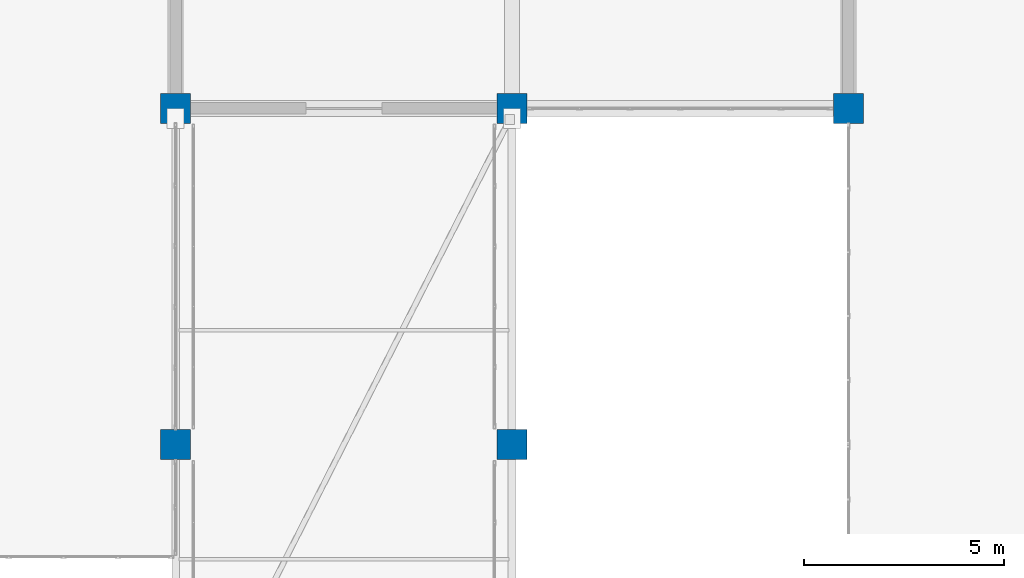
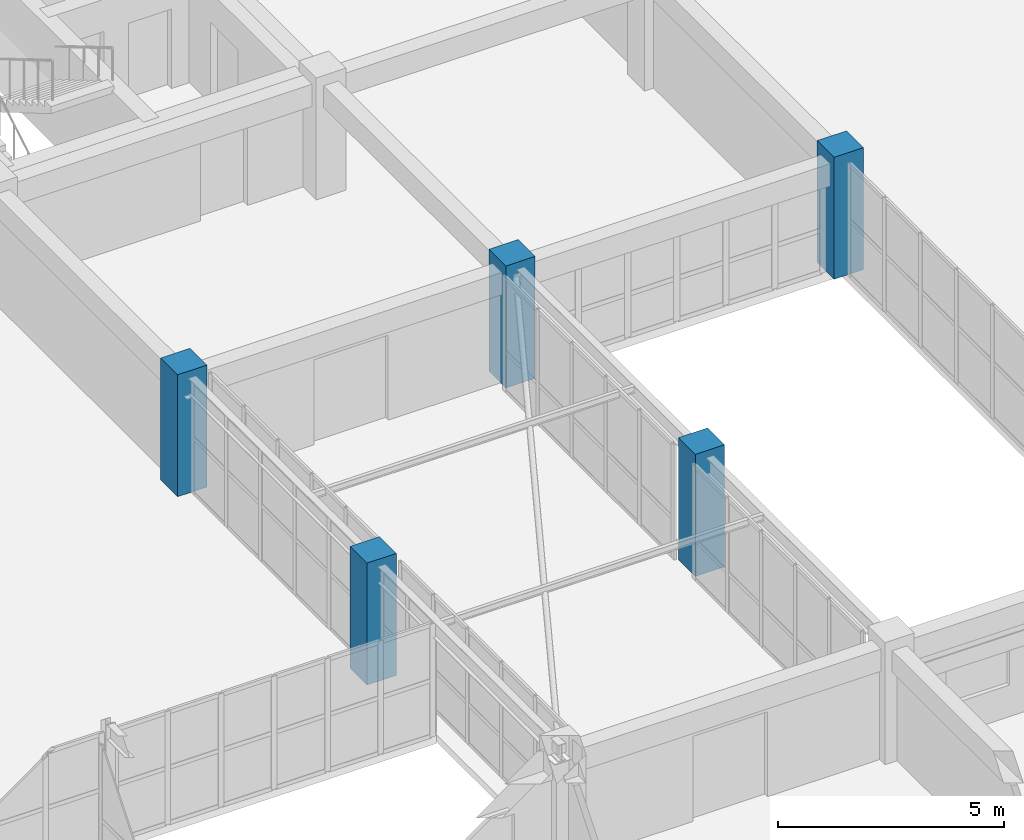
# One storey, part 10 of 200: 5 columns.
"""IFC4 building model written with IfcOpenShell, lengths in metres."""

from ifc_helpers import new_model, si_unit, direction, frame, origin, origin_2d, place, context, subcontext, project, spatial, rectangle, extrude, material, material_profile, profile_set, type_object, element, save


model = new_model("IFC4")

# Units and contexts
model_context = context("Model", 3, precision=1e-05, world=origin(), true_north=direction((0.0, 1.0)))
body_context = subcontext(model_context, "Body", "Model", "MODEL_VIEW")
ifc_project = project(units=[si_unit("LENGTHUNIT", "METRE"), si_unit("AREAUNIT", "SQUARE_METRE"), si_unit("VOLUMEUNIT", "CUBIC_METRE"), si_unit("PLANEANGLEUNIT", "RADIAN"), si_unit("MASSUNIT", "GRAM", prefix="KILO")], contexts=[model_context])

# Site, building, storey
site_placement = place(None, origin())
site = spatial("IfcSite", under=ifc_project, at=site_placement, CompositionType="ELEMENT")
building_placement = place(site_placement, origin())
building = spatial("IfcBuilding", under=site, at=building_placement, Name="Trelvath General Hospital", CompositionType="ELEMENT")
storey_placement = place(building_placement, frame((0.0, 0.0, 4.800048828125)))
storey = spatial("IfcBuildingStorey", under=building, at=storey_placement, Name="L01", CompositionType="ELEMENT", Elevation=4.800048828125)

# Columns
ifc_material = material(Name="Concrete C40/50", Category="concrete")
ifc_material_profile = material_profile(ifc_material, rectangle(XDim=0.75, YDim=0.75, at=origin_2d()), Name="RC750x750")
ifc_profile_set = profile_set([ifc_material_profile], Name="Concrete C40/50")
column_type = type_object("IfcColumnType", Name="Column RC750", PredefinedType="COLUMN", material=ifc_profile_set)
for number, where, z_axis, x_axis, name in (
    (1, (75.60009765625, 33.60009765625, 0.0), (0.0, 0.0, 1.0), (1.0, 0.0, 0.0), "Column C-10E L01"),
    (2, (75.60009765625, 42.0, 0.0), (0.0, 0.0, 1.0), (1.0, 0.0, 0.0), "Column C-10F L01"),
    (3, (84.0, 33.60009765625, 0.0), (0.0, 0.0, 1.0), (1.0, 0.0, 0.0), "Column C-11E L01"),
    (4, (84.0, 42.0, 0.0), (0.0, 0.0, 1.0), (1.0, 0.0, 0.0), "Column C-11F L01"),
    (5, (92.39990234375, 42.0, 0.0), (0.0, 0.0, 1.0), (1.0, 0.0, 0.0), "Column C-12F L01"),
):
    element("IfcColumn", number, at=place(storey_placement, frame(where, z_axis=z_axis, x_axis=x_axis)), inside=storey, type_object=column_type, Name=name, PredefinedType="COLUMN", context=body_context, shape_type="SweptSolid", body=[
        extrude(rectangle(XDim=0.75, YDim=0.75, at=origin_2d()), origin(), (0.0, 0.0, 1.0), 3.300048828125),
    ])

save(model, "model.ifc")
